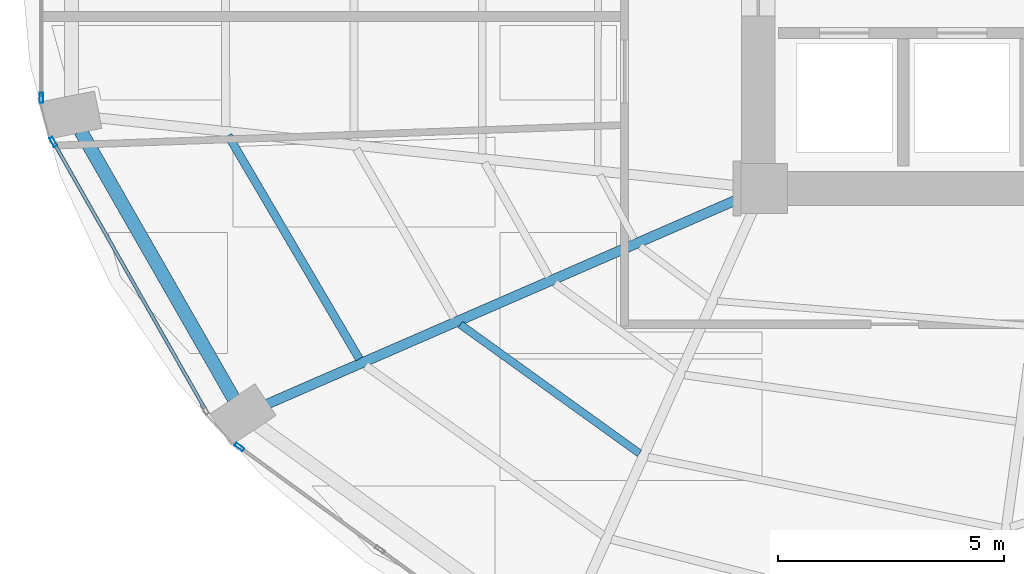
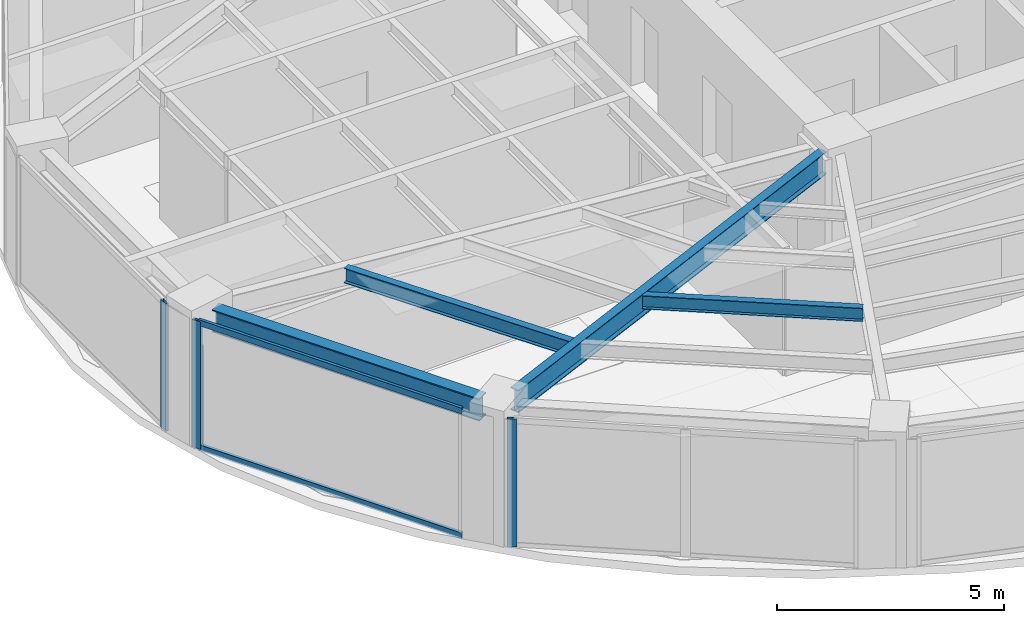
# One storey, part 3 of 24: 5 members, 4 beams, 3 elements without a shape of their own.
"""IFC4 building model written with IfcOpenShell, lengths in metres."""

from ifc_helpers import new_model, si_unit, direction, frame, origin, origin_2d, place, context, subcontext, project, spatial, hollow_rectangle, i_section, extrude, material, layer, layer_set, material_profile, profile_set, type_object, element, aggregate, save


model = new_model("IFC4")

# Units and contexts
model_context = context("Model", 3, precision=1e-05, world=origin(), true_north=direction((0.0, 1.0)))
body_context = subcontext(model_context, "Body", "Model", "MODEL_VIEW")
ifc_project = project(units=[si_unit("LENGTHUNIT", "METRE"), si_unit("AREAUNIT", "SQUARE_METRE"), si_unit("VOLUMEUNIT", "CUBIC_METRE"), si_unit("PLANEANGLEUNIT", "RADIAN"), si_unit("MASSUNIT", "GRAM", prefix="KILO")], contexts=[model_context])

# Site, building, storey
site_placement = place(None, origin())
site = spatial("IfcSite", under=ifc_project, at=site_placement, CompositionType="ELEMENT")
building_placement = place(site_placement, origin())
building = spatial("IfcBuilding", under=site, at=building_placement, Name="Lazwardi Medical Tower", CompositionType="ELEMENT")
storey_placement = place(building_placement, frame((0.0, 0.0, 99.98388671875)))
storey = spatial("IfcBuildingStorey", under=building, at=storey_placement, Name="L25", CompositionType="ELEMENT", Elevation=99.98388671875)

# Beams
ifc_material_1 = material(Name="Steel S355", Category="steel")
ifc_material_profile_1 = material_profile(ifc_material_1, i_section(OverallWidth=0.300048828125, OverallDepth=0.60009765625, WebThickness=0.015380859375, FlangeThickness=0.030029296875, at=origin_2d()), Name="HEB 600")
ifc_profile_set_1 = profile_set([ifc_material_profile_1], Name="Steel S355")
beam_type_1 = type_object("IfcBeamType", Name="BM-RB-Z2", PredefinedType="BEAM", material=ifc_profile_set_1)
beam_1_placement = place(storey_placement, frame((11.3408203125, 21.664306640625, 3.128173828125), z_axis=(0.496637551254, -0.867958030486, 0.0), x_axis=(0.867958030486, 0.496637551254, 0.0)))
element("IfcBeam", 1, at=beam_1_placement, inside=storey, type_object=beam_type_1, Name="Ring beam RB-03 B13 L25", PredefinedType="BEAM", context=body_context, shape_type="SweptSolid", body=[
    extrude(i_section(OverallWidth=0.300048828125, OverallDepth=0.60009765625, WebThickness=0.015380859375, FlangeThickness=0.030029296875, at=origin_2d()), origin(), (0.0, 0.0, 1.0), 6.801025390625),
])
ifc_material_profile_2 = material_profile(ifc_material_1, i_section(OverallWidth=0.219970703125, OverallDepth=0.60009765625, WebThickness=0.011962890625, FlangeThickness=0.01904296875, at=origin_2d()), Name="IPE 600")
ifc_profile_set_2 = profile_set([ifc_material_profile_2], Name="Steel S355")
beam_type_2 = type_object("IfcBeamType", Name="BM-RG-W1", PredefinedType="BEAM", material=ifc_profile_set_2)
beam_2_placement = place(storey_placement, frame((15.4541015625, 15.63671875, 3.128173828125), z_axis=(0.916941336121, 0.399022037127, 0.0), x_axis=(-0.399022037127, 0.916941336121, 0.0)))
element("IfcBeam", 2, at=beam_2_placement, inside=storey, type_object=beam_type_2, Name="Radial girder RG-02 R14 L25", PredefinedType="BEAM", context=body_context, shape_type="SweptSolid", body=[
    extrude(i_section(OverallWidth=0.219970703125, OverallDepth=0.60009765625, WebThickness=0.011962890625, FlangeThickness=0.01904296875, at=origin_2d()), origin(), (0.0, 0.0, 1.0), 11.40234375),
])
ifc_material_profile_3 = material_profile(ifc_material_1, i_section(OverallWidth=0.179931640625, OverallDepth=0.39990234375, WebThickness=0.008544921875, FlangeThickness=0.013427734375, at=origin_2d()), Name="IPE 400")
ifc_profile_set_3 = profile_set([ifc_material_profile_3], Name="Steel S355")
beam_type_3 = type_object("IfcBeamType", Name="BM-SJ-01", PredefinedType="JOIST", material=ifc_profile_set_3)
beam_3_placement = place(storey_placement, frame((14.597900390625, 21.56787109375, 3.22802734375), z_axis=(0.506195045201, -0.862419025888, 0.0), x_axis=(0.862419025888, 0.506195045201, 0.0)))
element("IfcBeam", 3, at=beam_3_placement, inside=storey, type_object=beam_type_3, Name="Secondary joist SJ-01 R1 B13 L25", PredefinedType="JOIST", context=body_context, shape_type="SweptSolid", body=[
    extrude(i_section(OverallWidth=0.179931640625, OverallDepth=0.39990234375, WebThickness=0.008544921875, FlangeThickness=0.013427734375, at=origin_2d()), origin(), (0.0, 0.0, 1.0), 5.71728515625),
])
ifc_material_profile_4 = material_profile(ifc_material_1, i_section(OverallWidth=0.169921875, OverallDepth=0.360107421875, WebThickness=0.008056640625, FlangeThickness=0.0126953125, at=origin_2d()), Name="IPE 360")
ifc_profile_set_4 = profile_set([ifc_material_profile_4], Name="Steel S355")
beam_type_4 = type_object("IfcBeamType", Name="BM-SJ-02", PredefinedType="JOIST", material=ifc_profile_set_4)
beam_4_placement = place(storey_placement, frame((19.721435546875, 17.395263671875, 3.248046875), z_axis=(0.811888517177, -0.583812500446, 0.0), x_axis=(0.583812500446, 0.811888517177, 0.0)))
element("IfcBeam", 4, at=beam_4_placement, inside=storey, type_object=beam_type_4, Name="Secondary joist SJ-02 R2 B14 L25", PredefinedType="JOIST", context=body_context, shape_type="SweptSolid", body=[
    extrude(i_section(OverallWidth=0.169921875, OverallDepth=0.360107421875, WebThickness=0.008056640625, FlangeThickness=0.0126953125, at=origin_2d()), origin(), (0.0, 0.0, 1.0), 4.874755859375),
])

# Curtain wall, member
ifc_material_2 = material(Name="Anodised bronze aluminium and solar control glazing", Category="aluminium")
ifc_layer = layer(ifc_material_2, 0.195068359375)
ifc_layer_set = layer_set([ifc_layer], Name="Anodised bronze aluminium and solar control glazing")
curtain_wall_type = type_object("IfcCurtainWallType", Name="CW-SYS-03", PredefinedType="NOTDEFINED", material=ifc_layer_set)
curtain_wall_1_placement = place(storey_placement, origin())
curtain_wall_1 = element("IfcCurtainWall", 5, at=curtain_wall_1_placement, inside=storey, type_object=curtain_wall_type, Name="L25 Unitised bronze curtain wall CW-03", PredefinedType="NOTDEFINED")
ifc_material_3 = material(Name="Anodised bronze aluminium", Category="aluminium")
ifc_material_profile_5 = material_profile(ifc_material_3, hollow_rectangle(XDim=0.074951171875, YDim=0.219970703125, WallThickness=0.00390625, at=origin_2d()), Name="ALU-MULLION 220x75x4")
ifc_profile_set_5 = profile_set([ifc_material_profile_5], Name="Anodised bronze aluminium")
member_type_1 = type_object("IfcMemberType", Name="CW-MUL-01", PredefinedType="MULLION", material=ifc_profile_set_5)
member_1_placement = place(storey_placement, frame((10.471923828125, 22.402587890625, 0.0), z_axis=(0.0, 0.0, 1.0), x_axis=(1.0, 0.0, 0.0)))
member_1 = element("IfcMember", 6, at=member_1_placement, type_object=member_type_1, Name="CW-03 mullion 2", PredefinedType="MULLION", context=body_context, shape_type="SweptSolid", body=[
    extrude(hollow_rectangle(XDim=0.074951171875, YDim=0.219970703125, WallThickness=0.00390625, at=origin_2d()), origin(), (0.0, 0.0, 1.0), 3.42822265625),
])
aggregate(curtain_wall_1, [member_1])

curtain_wall_2_placement = place(storey_placement, origin())
curtain_wall_2 = element("IfcCurtainWall", 7, at=curtain_wall_2_placement, inside=storey, type_object=curtain_wall_type, Name="L25 Unitised bronze curtain wall CW-03", PredefinedType="NOTDEFINED")
member_2_placement = place(storey_placement, frame((10.7373046875, 21.42626953125, 0.0), z_axis=(0.0, 0.0, 1.0), x_axis=(0.869687265712, 0.493603140041, 0.0)))
member_2 = element("IfcMember", 8, at=member_2_placement, type_object=member_type_1, Name="CW-03 mullion 1", PredefinedType="MULLION", context=body_context, shape_type="SweptSolid", body=[
    extrude(hollow_rectangle(XDim=0.074951171875, YDim=0.219970703125, WallThickness=0.00390625, at=origin_2d()), origin(), (0.0, 0.0, 1.0), 3.42822265625),
])

curtain_wall_3_placement = place(storey_placement, origin())
curtain_wall_3 = element("IfcCurtainWall", 9, at=curtain_wall_3_placement, inside=storey, type_object=curtain_wall_type, Name="L25 Unitised bronze curtain wall CW-03", PredefinedType="NOTDEFINED")
member_3_placement = place(storey_placement, frame((14.844970703125, 14.691162109375, 0.0), z_axis=(0.0, 0.0, 1.0), x_axis=(0.589530882802, 0.807745837639, 0.0)))
member_3 = element("IfcMember", 10, at=member_3_placement, type_object=member_type_1, Name="CW-03 mullion 1", PredefinedType="MULLION", context=body_context, shape_type="SweptSolid", body=[
    extrude(hollow_rectangle(XDim=0.074951171875, YDim=0.219970703125, WallThickness=0.00390625, at=origin_2d()), origin(), (0.0, 0.0, 1.0), 3.42822265625),
])
aggregate(curtain_wall_3, [member_3])

# Member
ifc_material_profile_6 = material_profile(ifc_material_3, hollow_rectangle(XDim=0.074951171875, YDim=0.159912109375, WallThickness=0.00390625, at=origin_2d()), Name="ALU-TRANSOM 160x75x4")
ifc_profile_set_6 = profile_set([ifc_material_profile_6], Name="Anodised bronze aluminium")
member_type_2 = type_object("IfcMemberType", Name="CW-TRN-01", PredefinedType="USERDEFINED", material=ifc_profile_set_6)
member_4_placement = place(storey_placement, frame((10.755859375, 21.3935546875, 0.03759765625), z_axis=(0.493614427365, -0.869680859337, 0.0), x_axis=(0.869680859337, 0.493614427365, 0.0)))
member_4 = element("IfcMember", 11, at=member_4_placement, type_object=member_type_2, Name="CW-03 transom 1.1", ObjectType="TRANSOM", PredefinedType="USERDEFINED", context=body_context, shape_type="SweptSolid", body=[
    extrude(hollow_rectangle(XDim=0.074951171875, YDim=0.159912109375, WallThickness=0.00390625, at=origin_2d()), origin(), (0.0, 0.0, 1.0), 6.72314453125),
])

member_5_placement = place(storey_placement, frame((10.755859375, 21.3935546875, 3.390625), z_axis=(0.493614427365, -0.869680859337, 0.0), x_axis=(0.869680859337, 0.493614427365, 0.0)))
member_5 = element("IfcMember", 12, at=member_5_placement, type_object=member_type_2, Name="CW-03 transom 1.2", ObjectType="TRANSOM", PredefinedType="USERDEFINED", context=body_context, shape_type="SweptSolid", body=[
    extrude(hollow_rectangle(XDim=0.074951171875, YDim=0.159912109375, WallThickness=0.00390625, at=origin_2d()), origin(), (0.0, 0.0, 1.0), 6.72314453125),
])

aggregate(curtain_wall_2, [member_2, member_4, member_5])

save(model, "model.ifc")
